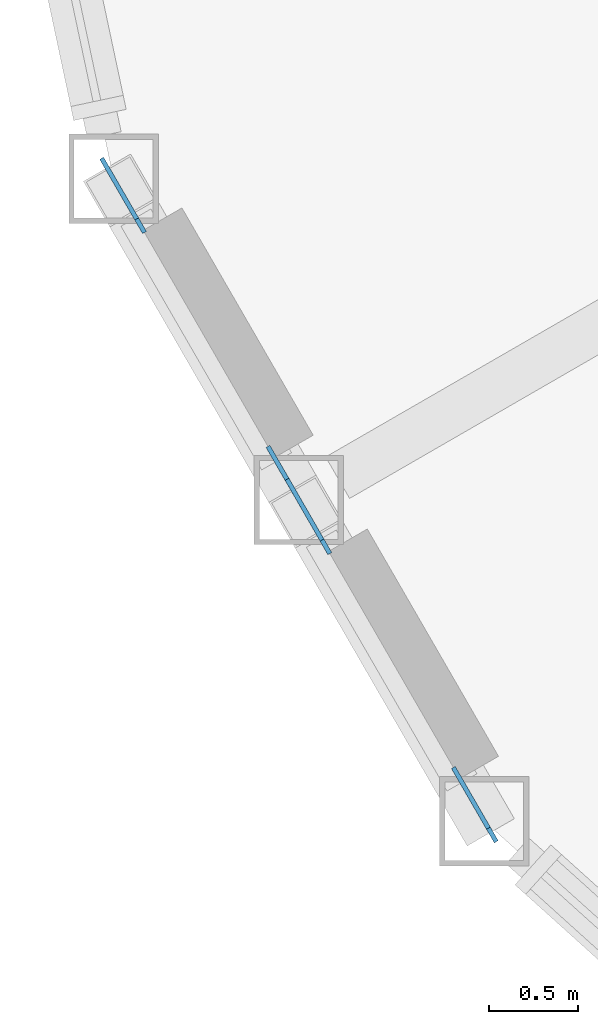
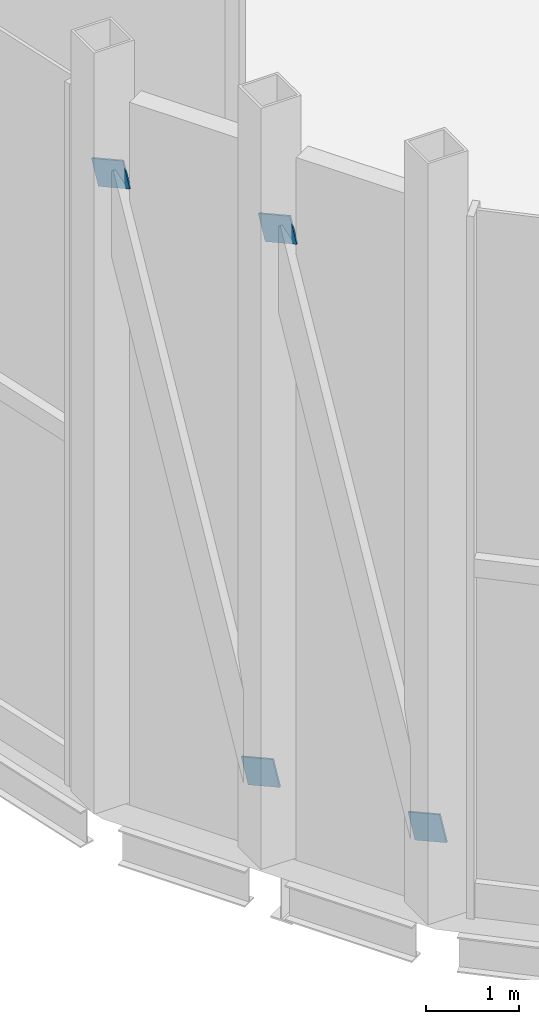
# One storey, part 12 of 18: 4 discrete accessories.
"""IFC4 building model written with IfcOpenShell, lengths in metres."""

from ifc_helpers import new_model, si_unit, direction, frame, origin, origin_2d, place, context, subcontext, project, spatial, rectangle, extrude, material, material_profile, profile_set, type_object, element, save


model = new_model("IFC4")

# Units and contexts
model_context = context("Model", 3, precision=1e-05, world=origin(), true_north=direction((0.0, 1.0)))
body_context = subcontext(model_context, "Body", "Model", "MODEL_VIEW")
ifc_project = project(units=[si_unit("LENGTHUNIT", "METRE"), si_unit("AREAUNIT", "SQUARE_METRE"), si_unit("VOLUMEUNIT", "CUBIC_METRE"), si_unit("PLANEANGLEUNIT", "RADIAN"), si_unit("MASSUNIT", "GRAM", prefix="KILO")], contexts=[model_context])

# Site, building, storey
site_placement = place(None, origin())
site = spatial("IfcSite", under=ifc_project, at=site_placement, CompositionType="ELEMENT")
building_placement = place(site_placement, origin())
building = spatial("IfcBuilding", under=site, at=building_placement, Name="Cormorant Prow Tower", CompositionType="ELEMENT")
storey_placement = place(building_placement, frame((0.0, 0.0, 405.199951171875)))
storey = spatial("IfcBuildingStorey", under=building, at=storey_placement, Name="L93", CompositionType="ELEMENT", Elevation=405.199951171875)

# Discrete accessories
ifc_material = material(Name="Structural steel ASTM A500 Gr C", Category="steel")
ifc_material_profile = material_profile(ifc_material, rectangle(XDim=0.02490234375, YDim=0.405029296875, at=origin_2d()), Name="Gusset plate 25x405")
ifc_profile_set = profile_set([ifc_material_profile], Name="Structural steel ASTM A500 Gr C")
discrete_accessory_type = type_object("IfcDiscreteAccessoryType", Name="Gusset plate 25x405", PredefinedType="BRACKET", material=ifc_profile_set)
for number, where, z_axis, x_axis, name in (
    (1, (-27.11181640625, -15.47998046875, 1.180908203125), (0.124876410235, -0.216266408787, -0.968315404503), (0.865999496279, 0.500044870432, 0.0), "Gusset plate GP3 L93.WSW00.g0"),
    (2, (-27.998779296875, -13.943603515625, 8.052978515625), (-0.124876410235, 0.216266408787, 0.968315404503), (-0.865999496279, -0.500044870432, 0.0), "Gusset plate GP3 L93.WSW00.g1"),
    (3, (-26.074951171875, -17.27587890625, 1.180908203125), (0.124876410235, -0.216266408787, -0.968315404503), (0.865999496279, 0.500044870432, 0.0), "Gusset plate GP3 L93.WSW01.g0"),
):
    element("IfcDiscreteAccessory", number, at=place(storey_placement, frame(where, z_axis=z_axis, x_axis=x_axis)), inside=storey, type_object=discrete_accessory_type, Name=name, PredefinedType="BRACKET", context=body_context, shape_type="SweptSolid", body=[
        extrude(rectangle(XDim=0.02490234375, YDim=0.405029296875, at=origin_2d()), origin(), (0.0, 0.0, 1.0), 0.349853515625),
    ])
discrete_accessory_placement = place(storey_placement, frame((-26.9619140625, -15.73974609375, 8.052978515625), z_axis=(-0.124857543431, 0.21693126261, 0.968169107724), x_axis=(-0.866695481028, -0.498837591974, 0.0)))
element("IfcDiscreteAccessory", 4, at=discrete_accessory_placement, inside=storey, type_object=discrete_accessory_type, Name="Gusset plate GP3 L93.WSW01.g1", PredefinedType="BRACKET", context=body_context, shape_type="SweptSolid", body=[
    extrude(rectangle(XDim=0.02490234375, YDim=0.405029296875, at=origin_2d()), origin(), (0.0, 0.0, 1.0), 0.35009765625),
])

save(model, "model.ifc")
